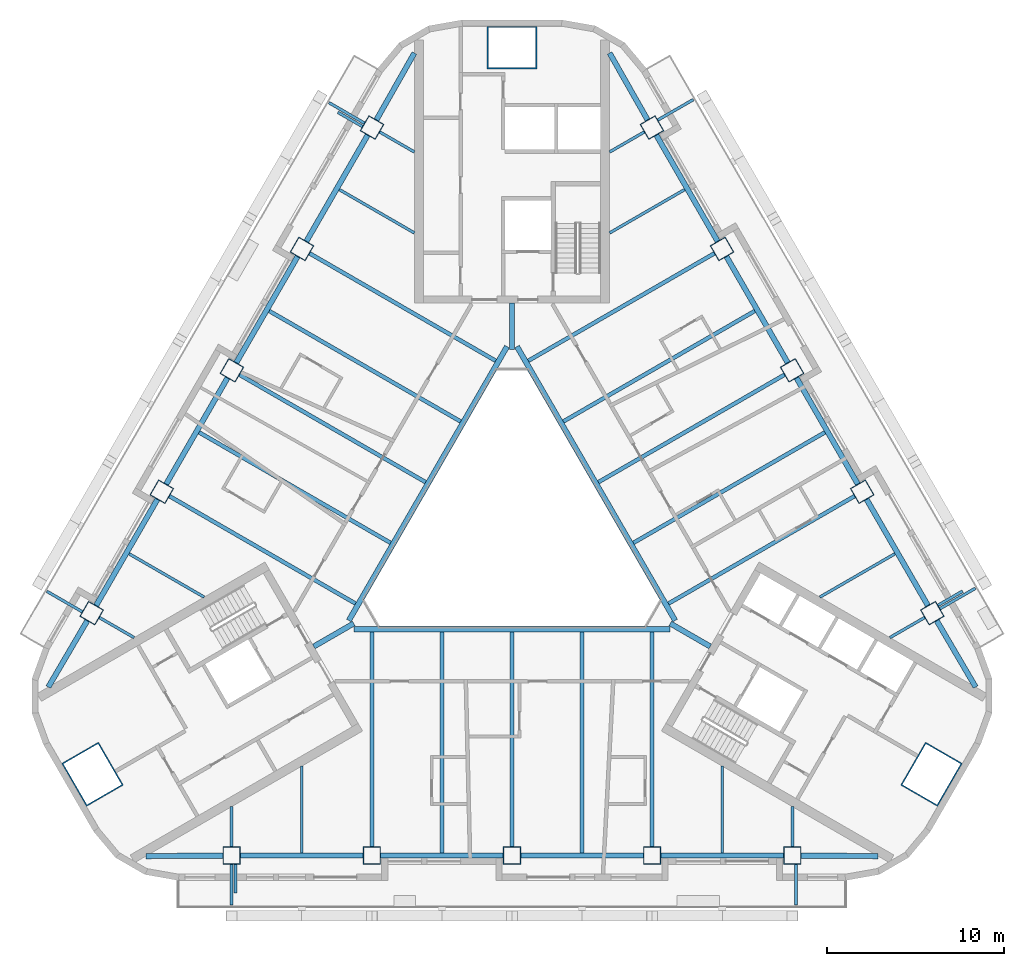
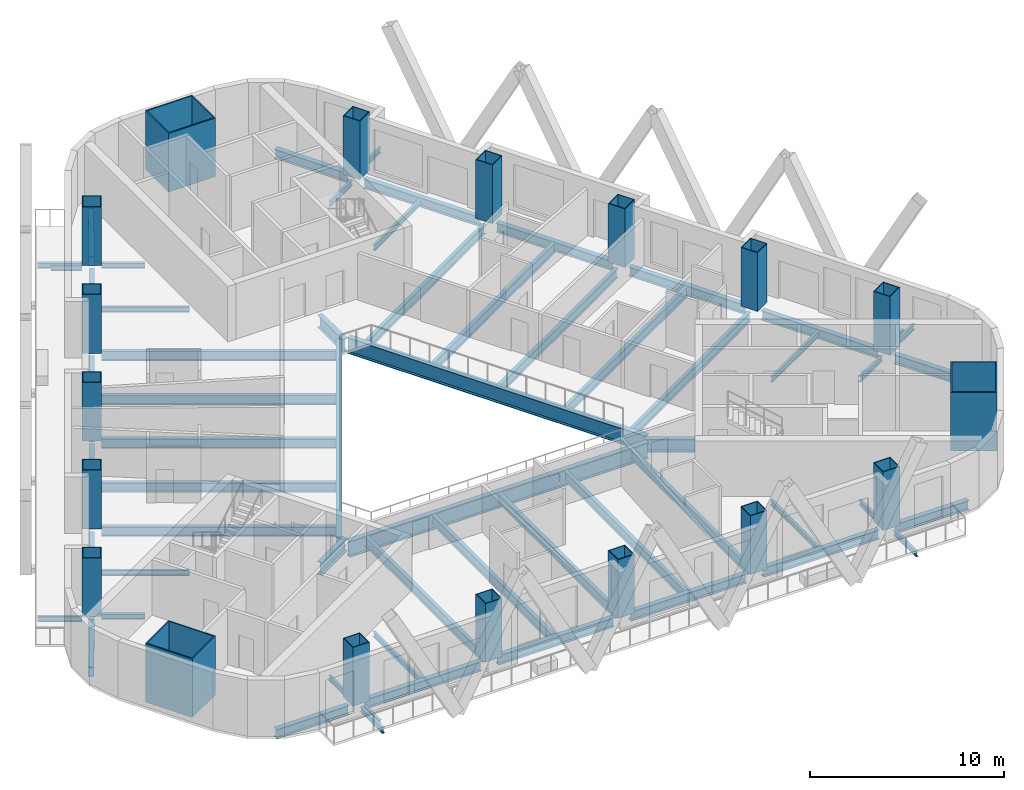
# One storey, part 1 of 13: 60 beams, 18 columns.
"""IFC4 building model written with IfcOpenShell, lengths in metres."""

import ifcopenshell
import ifcopenshell.guid

model = None  # the IFC model being written
_history = None  # IfcOwnerHistory: only IFC2X3 demands one
_inside = {}  # id of a spatial element -> (the spatial element, [elements in it])
_under = {}  # id of a project, library or spatial element -> (it, [spatial elements below it])
_declared = {}  # id of a project -> (the project, [libraries it declares])
_typed = {}  # id of a type object -> (the type object, [elements of that type])
_made_of = {}  # id of a material, layer set ... -> (it, [elements and type objects made of it])


def new_model(schema):
    """Start an empty IFC model of exactly this schema.

    Asked for "IFC4X3", IfcOpenShell would pick the latest addendum, in which some entities
    have other attributes; the version numbers below select the first issue.
    IFC2X3 requires an IfcOwnerHistory on every rooted entity: one is made here for all.
    """
    global model, _history
    if schema == "IFC4X3":
        model = ifcopenshell.file(schema_version=(4, 3, 0, 0))
    else:
        model = ifcopenshell.file(schema=schema)
    _inside.clear()
    _under.clear()
    _declared.clear()
    _typed.clear()
    _made_of.clear()
    _history = None
    if model.schema == "IFC2X3":
        org = make("IfcOrganization", Name="unknown")
        user = make(
            "IfcPersonAndOrganization",
            ThePerson=make("IfcPerson", FamilyName="unknown"),
            TheOrganization=org,
        )
        app = make(
            "IfcApplication",
            ApplicationDeveloper=org,
            Version="unknown",
            ApplicationFullName="unknown",
            ApplicationIdentifier="unknown",
        )
        _history = make(
            "IfcOwnerHistory",
            OwningUser=user,
            OwningApplication=app,
            ChangeAction="ADDED",
            CreationDate=0,
        )
    return model


def make(cls, **values):
    """One entity of the class cls with the attributes given. An attribute that is None is left unset."""
    return model.create_entity(
        cls, **{name: value for name, value in values.items() if value is not None}
    )


def rooted(cls, **values):
    """An entity with a GlobalId (a new one), such as an element, a storey or a relation."""
    return make(cls, GlobalId=ifcopenshell.guid.new(), OwnerHistory=_history, **values)


def si_unit(unit_type, name, prefix=None):
    """IfcSIUnit, for example si_unit("LENGTHUNIT", "METRE", prefix="MILLI")."""
    return make("IfcSIUnit", UnitType=unit_type, Prefix=prefix, Name=name)


def assignment(units):
    """IfcUnitAssignment: the units of a project."""
    return None if units is None else make("IfcUnitAssignment", Units=units)


def point(xyz):
    """IfcCartesianPoint."""
    return None if xyz is None else make("IfcCartesianPoint", Coordinates=xyz)


def direction(xyz):
    """IfcDirection."""
    return None if xyz is None else make("IfcDirection", DirectionRatios=xyz)


def frame(location, z_axis=None, x_axis=None):
    """IfcAxis2Placement3D, a coordinate frame: its origin and axes. An axis left out is left unset."""
    return make(
        "IfcAxis2Placement3D",
        Location=point(location),
        Axis=direction(z_axis),
        RefDirection=direction(x_axis),
    )


def frame_2d(location, x_axis=None):
    """IfcAxis2Placement2D, a coordinate frame in the plane: its origin and x axis."""
    return make(
        "IfcAxis2Placement2D", Location=point(location), RefDirection=direction(x_axis)
    )


def origin():
    """The frame at (0, 0, 0) with its axes left unset."""
    return frame((0.0, 0.0, 0.0))


def origin_2d():
    """The frame at (0, 0) in the plane with its x axis left unset."""
    return frame_2d((0.0, 0.0))


def place(relative_to, where):
    """IfcLocalPlacement: puts the frame where relative to a parent placement (None: the world)."""
    return make(
        "IfcLocalPlacement", PlacementRelTo=relative_to, RelativePlacement=where
    )


def context(
    kind, dimensions, precision=None, world=None, true_north=None, identifier=None
):
    """IfcGeometricRepresentationContext, for example the 3D "Model" context."""
    return make(
        "IfcGeometricRepresentationContext",
        ContextIdentifier=identifier,
        ContextType=kind,
        CoordinateSpaceDimension=dimensions,
        Precision=precision,
        WorldCoordinateSystem=world,
        TrueNorth=true_north,
    )


def subcontext(parent, identifier, kind, view, scale=None):
    """IfcGeometricRepresentationSubContext, for example "Body" below "Model"."""
    return make(
        "IfcGeometricRepresentationSubContext",
        ContextIdentifier=identifier,
        ContextType=kind,
        ParentContext=parent,
        TargetScale=scale,
        TargetView=view,
    )


def project(units=None, contexts=None):
    """IfcProject with its units and contexts."""
    return rooted(
        "IfcProject",
        Name="project",
        RepresentationContexts=contexts,
        UnitsInContext=assignment(units),
    )


def spatial(cls, under=None, at=None, **own):
    """A site, building, storey or space (cls), placed at a placement, below another one or the project."""
    s = rooted(cls, ObjectPlacement=at, **own)
    if under is not None:
        _under.setdefault(under.id(), (under, []))[1].append(s)
    return s


def profile(cls, at=None, kind="AREA", **sizes):
    """A parametric profile (cls). Its sizes go by their IFC names, for example OverallWidth=200.0."""
    return make(cls, ProfileType=kind, Position=at, **sizes)


def rectangle(**sizes):
    """IfcRectangleProfileDef."""
    return profile("IfcRectangleProfileDef", **sizes)


def hollow_rectangle(**sizes):
    """IfcRectangleHollowProfileDef."""
    return profile("IfcRectangleHollowProfileDef", **sizes)


def i_section(**sizes):
    """IfcIShapeProfileDef."""
    return profile("IfcIShapeProfileDef", **sizes)


def extrude(swept, where, along, depth):
    """IfcExtrudedAreaSolid: the profile swept, set in the frame where, extruded along a direction by depth."""
    return make(
        "IfcExtrudedAreaSolid",
        SweptArea=swept,
        Position=where,
        ExtrudedDirection=direction(along),
        Depth=depth,
    )


def shape(context_of_items, identifier, shape_type, items):
    """IfcShapeRepresentation: the items that make up one representation, for example the "Body"."""
    return make(
        "IfcShapeRepresentation",
        ContextOfItems=context_of_items,
        RepresentationIdentifier=identifier,
        RepresentationType=shape_type,
        Items=items,
    )


def material(Name=None, Category=None):
    """IfcMaterial."""
    return make("IfcMaterial", Name=Name, Category=Category)


def material_profile(
    of_material, cross_section, Name=None, Category=None, Priority=None
):
    """IfcMaterialProfile: a cross section and its material."""
    return make(
        "IfcMaterialProfile",
        Name=Name,
        Material=of_material,
        Profile=cross_section,
        Priority=Priority,
        Category=Category,
    )


def profile_set(profiles, Name=None, composite=None):
    """IfcMaterialProfileSet."""
    return make(
        "IfcMaterialProfileSet",
        Name=Name,
        MaterialProfiles=profiles,
        CompositeProfile=composite,
    )


def made_of(thing, what):
    """Note that an element or type object is made of a material, layer set ...; save() writes the relation."""
    if what is not None:
        _made_of.setdefault(what.id(), (what, []))[1].append(thing)
    return thing


def type_object(cls, material=None, **own):
    """A type object (cls), such as IfcWallType, which elements share."""
    return made_of(rooted(cls, **own), material)


def element(
    cls,
    number,
    at=None,
    inside=None,
    cuts=None,
    type_object=None,
    material=None,
    context=None,
    identifier="Body",
    shape_type=None,
    held_by="IfcProductDefinitionShape",
    body=None,
    shapes=None,
    **own,
):
    """One element of the class cls, such as IfcWall. Its Tag is "e" and its number.

    at: its placement. inside: the storey or other place that contains it. cuts: it is an
    opening in that element (IfcRelVoidsElement). A single representation is given by context,
    identifier, shape_type and body (its items); several are given by shapes. held_by: the class
    of the entity that holds the representations. save() writes the other relations.
    """
    e = rooted(cls, Tag="e%d" % number, ObjectPlacement=at, **own)
    if body is not None:
        shapes = [shape(context, identifier, shape_type, body)]
    if shapes is not None:
        e.Representation = make(held_by, Representations=shapes)
    if inside is not None:
        _inside.setdefault(inside.id(), (inside, []))[1].append(e)
    if cuts is not None:
        rooted(
            "IfcRelVoidsElement", RelatingBuildingElement=cuts, RelatedOpeningElement=e
        )
    if type_object is not None:
        _typed.setdefault(type_object.id(), (type_object, []))[1].append(e)
    return made_of(e, material)


def aggregate(whole, parts):
    """IfcRelAggregates: a whole, such as a stair, and the parts it consists of."""
    return rooted("IfcRelAggregates", RelatingObject=whole, RelatedObjects=parts)


def save(model, path):
    """Write the relations noted so far, then the file.

    IfcRelAggregates (storeys below a building ...), IfcRelContainedInSpatialStructure (elements
    in a storey), IfcRelDefinesByType, IfcRelAssociatesMaterial and IfcRelDeclares: one each for
    every whole, place, type object, material and project.
    """
    for whole, parts in _under.values():
        aggregate(whole, parts)
    for where, things in _inside.values():
        rooted(
            "IfcRelContainedInSpatialStructure",
            RelatedElements=things,
            RelatingStructure=where,
        )
    for kind, things in _typed.values():
        rooted("IfcRelDefinesByType", RelatedObjects=things, RelatingType=kind)
    for what, things in _made_of.values():
        rooted("IfcRelAssociatesMaterial", RelatedObjects=things, RelatingMaterial=what)
    for by, libraries in _declared.values():
        rooted("IfcRelDeclares", RelatingContext=by, RelatedDefinitions=libraries)
    model.write(path)


model = new_model("IFC4")

# Units and contexts
model_context = context("Model", 3, precision=1e-05, world=origin(), true_north=direction((0.0, 1.0)))
body_context = subcontext(model_context, "Body", "Model", "MODEL_VIEW")
ifc_project = project(units=[si_unit("LENGTHUNIT", "METRE"), si_unit("AREAUNIT", "SQUARE_METRE"), si_unit("VOLUMEUNIT", "CUBIC_METRE"), si_unit("PLANEANGLEUNIT", "RADIAN"), si_unit("MASSUNIT", "GRAM", prefix="KILO")], contexts=[model_context])

# Site, building, storey
site_placement = place(None, origin())
site = spatial("IfcSite", under=ifc_project, at=site_placement, CompositionType="ELEMENT")
building_placement = place(site_placement, origin())
building = spatial("IfcBuilding", under=site, at=building_placement, Name="Apuvela Tower Hotel", CompositionType="ELEMENT")
storey_placement = place(building_placement, frame((0.0, 0.0, 83.5)))
storey = spatial("IfcBuildingStorey", under=building, at=storey_placement, Name="L18", CompositionType="ELEMENT", Elevation=83.5)

# Columns
ifc_material_1 = material(Name="Steel S460", Category="steel")
ifc_material_profile_1 = material_profile(ifc_material_1, hollow_rectangle(XDim=2.800048828125, YDim=2.39990234375, WallThickness=0.070068359375, at=origin_2d()), Name="BOX 2800x2400x70")
ifc_material_2 = material(Name="Concrete C80/95", Category="concrete")
ifc_material_profile_2 = material_profile(ifc_material_2, rectangle(XDim=2.659912109375, YDim=2.260009765625, at=origin_2d()), Name="Concrete C80/95 infill")
ifc_profile_set_1 = profile_set([ifc_material_profile_1, ifc_material_profile_2], Name="Steel S460")
column_type_1 = type_object("IfcColumnType", Name="STR-MC mega column BOX 2800x2400x70", PredefinedType="COLUMN", material=ifc_profile_set_1)
for number, where, z_axis, x_axis, name in (
    (1, (0.0, 27.300048828125, 0.0), (0.0, 0.0, 1.0), (1.0, 0.0, 0.0), "Mega column MC2 N"),
    (2, (-23.642578125, -13.64990234375, 0.0), (0.0, 0.0, 1.0), (-0.5, 0.866025403784, 0.0), "Mega column MC2 SW"),
    (3, (23.642578125, -13.64990234375, 0.0), (0.0, 0.0, 1.0), (0.5, 0.866025403784, 0.0), "Mega column MC2 SE"),
):
    element("IfcColumn", number, at=place(storey_placement, frame(where, z_axis=z_axis, x_axis=x_axis)), inside=storey, type_object=column_type_1, Name=name, PredefinedType="COLUMN", context=body_context, shape_type="SweptSolid", body=[
        extrude(hollow_rectangle(XDim=2.800048828125, YDim=2.39990234375, WallThickness=0.070068359375, at=origin_2d()), origin(), (0.0, 0.0, 1.0), 3.699951171875),
    ])
ifc_material_profile_3 = material_profile(ifc_material_1, hollow_rectangle(XDim=1.0, YDim=1.0, WallThickness=0.044921875, at=origin_2d()), Name="BOX 1000x1000x45")
ifc_material_profile_4 = material_profile(ifc_material_2, rectangle(XDim=0.909912109375, YDim=0.909912109375, at=origin_2d()), Name="Concrete C80/95 infill")
ifc_profile_set_2 = profile_set([ifc_material_profile_3, ifc_material_profile_4], Name="Steel S460")
column_type_2 = type_object("IfcColumnType", Name="STR-PC perimeter column BOX 1000x1000x45", PredefinedType="COLUMN", material=ifc_profile_set_2)
for number, where, z_axis, x_axis, name in (
    (4, (-15.800048828125, -18.22998046875, 0.0), (0.0, 0.0, 1.0), (-1.0, 0.0, 0.0), "Perimeter column C2 S1"),
    (5, (-7.89990234375, -18.22998046875, 0.0), (0.0, 0.0, 1.0), (-1.0, 0.0, 0.0), "Perimeter column C2 S2"),
    (6, (0.0, -18.22998046875, 0.0), (0.0, 0.0, 1.0), (-1.0, 0.0, 0.0), "Perimeter column C2 S3"),
    (7, (7.89990234375, -18.22998046875, 0.0), (0.0, 0.0, 1.0), (-1.0, 0.0, 0.0), "Perimeter column C2 S4"),
    (8, (15.800048828125, -18.22998046875, 0.0), (0.0, 0.0, 1.0), (-1.0, 0.0, 0.0), "Perimeter column C2 S5"),
    (9, (23.6875, -4.568115234375, 0.0), (0.0, 0.0, 1.0), (-0.5, 0.866025403784, 0.0), "Perimeter column C2 NE1"),
    (10, (19.737548828125, 2.2734375, 0.0), (0.0, 0.0, 1.0), (-0.5, 0.866025403784, 0.0), "Perimeter column C2 NE2"),
    (11, (15.78759765625, 9.114990234375, 0.0), (0.0, 0.0, 1.0), (-0.5, 0.866025403784, 0.0), "Perimeter column C2 NE3"),
    (12, (11.837646484375, 15.95654296875, 0.0), (0.0, 0.0, 1.0), (-0.5, 0.866025403784, 0.0), "Perimeter column C2 NE4"),
    (13, (7.8876953125, 22.798095703125, 0.0), (0.0, 0.0, 1.0), (-0.5, 0.866025403784, 0.0), "Perimeter column C2 NE5"),
    (14, (-7.8876953125, 22.798095703125, 0.0), (0.0, 0.0, 1.0), (0.5, 0.866025403784, 0.0), "Perimeter column C2 NW1"),
    (15, (-11.837646484375, 15.95654296875, 0.0), (0.0, 0.0, 1.0), (0.5, 0.866025403784, 0.0), "Perimeter column C2 NW2"),
    (16, (-15.78759765625, 9.114990234375, 0.0), (0.0, 0.0, 1.0), (0.5, 0.866025403784, 0.0), "Perimeter column C2 NW3"),
    (17, (-19.737548828125, 2.2734375, 0.0), (0.0, 0.0, 1.0), (0.5, 0.866025403784, 0.0), "Perimeter column C2 NW4"),
    (18, (-23.6875, -4.568115234375, 0.0), (0.0, 0.0, 1.0), (0.5, 0.866025403784, 0.0), "Perimeter column C2 NW5"),
):
    element("IfcColumn", number, at=place(storey_placement, frame(where, z_axis=z_axis, x_axis=x_axis)), inside=storey, type_object=column_type_2, Name=name, PredefinedType="COLUMN", context=body_context, shape_type="SweptSolid", body=[
        extrude(hollow_rectangle(XDim=1.0, YDim=1.0, WallThickness=0.044921875, at=origin_2d()), origin(), (0.0, 0.0, 1.0), 3.699951171875),
    ])

# Beams
ifc_material_3 = material(Name="Steel S355", Category="steel")
ifc_material_profile_5 = material_profile(ifc_material_3, i_section(OverallWidth=0.159912109375, OverallDepth=0.330078125, WebThickness=0.007568359375, FlangeThickness=0.011474609375, at=origin_2d()), Name="IPE 330")
ifc_profile_set_3 = profile_set([ifc_material_profile_5], Name="Steel S355")
beam_type_1 = type_object("IfcBeamType", Name="ENV-BALCONY-BEAM-IPE330", PredefinedType="BEAM", material=ifc_profile_set_3)
beam_1_placement = place(storey_placement, frame((-15.800048828125, -18.72998046875, -0.31494140625), z_axis=(0.0, -1.0, 0.0), x_axis=(1.0, 0.0, 0.0)))
element("IfcBeam", 19, at=beam_1_placement, inside=storey, type_object=beam_type_1, Name="Balcony cantilever beam S1 L18", PredefinedType="BEAM", context=body_context, shape_type="SweptSolid", body=[
    extrude(i_section(OverallWidth=0.159912109375, OverallDepth=0.330078125, WebThickness=0.007568359375, FlangeThickness=0.011474609375, at=origin_2d()), origin(), (0.0, 0.0, 1.0), 2.300048828125),
])
beam_2_placement = place(storey_placement, frame((-15.580078125, -18.72998046875, -0.31494140625), z_axis=(0.0, -1.0, 0.0), x_axis=(1.0, 0.0, 0.0)))
element("IfcBeam", 20, at=beam_2_placement, inside=storey, type_object=beam_type_1, Name="Balcony cantilever beam S2 L18", PredefinedType="BEAM", context=body_context, shape_type="SweptSolid", body=[
    extrude(i_section(OverallWidth=0.159912109375, OverallDepth=0.330078125, WebThickness=0.007568359375, FlangeThickness=0.011474609375, at=origin_2d()), origin(), (0.0, 0.0, 1.0), 1.60009765625),
])
for number, where, z_axis, x_axis, name in (
    (21, (16.0, -18.72998046875, -0.31494140625), (0.0, -1.0, 0.0), (1.0, 0.0, 0.0), "Balcony cantilever beam S3 L18"),
    (22, (24.12060546875, -4.318115234375, -0.31494140625), (0.866053019151, 0.499952165731, 0.0), (-0.499952165731, 0.866053019151, 0.0), "Balcony cantilever beam NE1 L18"),
):
    element("IfcBeam", number, at=place(storey_placement, frame(where, z_axis=z_axis, x_axis=x_axis)), inside=storey, type_object=beam_type_1, Name=name, PredefinedType="BEAM", context=body_context, shape_type="SweptSolid", body=[
        extrude(i_section(OverallWidth=0.159912109375, OverallDepth=0.330078125, WebThickness=0.007568359375, FlangeThickness=0.011474609375, at=origin_2d()), origin(), (0.0, 0.0, 1.0), 2.300048828125),
    ])
beam_3_placement = place(storey_placement, frame((24.0107421875, -4.127685546875, -0.31494140625), z_axis=(0.865989903783, 0.500061482766, 0.0), x_axis=(-0.500061482766, 0.865989903783, 0.0)))
element("IfcBeam", 23, at=beam_3_placement, inside=storey, type_object=beam_type_1, Name="Balcony cantilever beam NE2 L18", PredefinedType="BEAM", context=body_context, shape_type="SweptSolid", body=[
    extrude(i_section(OverallWidth=0.159912109375, OverallDepth=0.330078125, WebThickness=0.007568359375, FlangeThickness=0.011474609375, at=origin_2d()), origin(), (0.0, 0.0, 1.0), 1.599853515625),
])
beam_4_placement = place(storey_placement, frame((8.220703125, 23.221435546875, -0.31494140625), z_axis=(0.86602648383, 0.499998129301, 0.0), x_axis=(-0.499998129301, 0.86602648383, 0.0)))
element("IfcBeam", 24, at=beam_4_placement, inside=storey, type_object=beam_type_1, Name="Balcony cantilever beam NE3 L18", PredefinedType="BEAM", context=body_context, shape_type="SweptSolid", body=[
    extrude(i_section(OverallWidth=0.159912109375, OverallDepth=0.330078125, WebThickness=0.007568359375, FlangeThickness=0.011474609375, at=origin_2d()), origin(), (0.0, 0.0, 1.0), 2.2998046875),
])
beam_5_placement = place(storey_placement, frame((-8.32080078125, 23.048095703125, -0.31494140625), z_axis=(-0.865980515519, 0.500077740698, 0.0), x_axis=(-0.500077740698, -0.865980515519, 0.0)))
element("IfcBeam", 25, at=beam_5_placement, inside=storey, type_object=beam_type_1, Name="Balcony cantilever beam NW1 L18", PredefinedType="BEAM", context=body_context, shape_type="SweptSolid", body=[
    extrude(i_section(OverallWidth=0.159912109375, OverallDepth=0.330078125, WebThickness=0.007568359375, FlangeThickness=0.011474609375, at=origin_2d()), origin(), (0.0, 0.0, 1.0), 2.300048828125),
])
beam_6_placement = place(storey_placement, frame((-8.4306640625, 22.857666015625, -0.31494140625), z_axis=(-0.866028054938, 0.499995408039, 0.0), x_axis=(-0.499995408039, -0.866028054938, 0.0)))
element("IfcBeam", 26, at=beam_6_placement, inside=storey, type_object=beam_type_1, Name="Balcony cantilever beam NW2 L18", PredefinedType="BEAM", context=body_context, shape_type="SweptSolid", body=[
    extrude(i_section(OverallWidth=0.159912109375, OverallDepth=0.330078125, WebThickness=0.007568359375, FlangeThickness=0.011474609375, at=origin_2d()), origin(), (0.0, 0.0, 1.0), 1.60009765625),
])
beam_7_placement = place(storey_placement, frame((-24.220703125, -4.491455078125, -0.31494140625), z_axis=(-0.865980515519, 0.500077740698, 0.0), x_axis=(-0.500077740698, -0.865980515519, 0.0)))
element("IfcBeam", 27, at=beam_7_placement, inside=storey, type_object=beam_type_1, Name="Balcony cantilever beam NW3 L18", PredefinedType="BEAM", context=body_context, shape_type="SweptSolid", body=[
    extrude(i_section(OverallWidth=0.159912109375, OverallDepth=0.330078125, WebThickness=0.007568359375, FlangeThickness=0.011474609375, at=origin_2d()), origin(), (0.0, 0.0, 1.0), 2.300048828125),
])
ifc_material_profile_6 = material_profile(ifc_material_3, i_section(OverallWidth=0.159912109375, OverallDepth=0.330078125, WebThickness=0.007568359375, FlangeThickness=0.011474609375, at=origin_2d()), Name="IPE 330")
ifc_profile_set_4 = profile_set([ifc_material_profile_6], Name="Steel S355")
beam_type_2 = type_object("IfcBeamType", Name="STR-B floor beam IPE 330", PredefinedType="BEAM", material=ifc_profile_set_4)
beam_8_placement = place(storey_placement, frame((23.254638671875, -4.818115234375, -0.31494140625), z_axis=(-0.865991034588, -0.500059524469, 0.0), x_axis=(0.500059524469, -0.865991034588, 0.0)))
element("IfcBeam", 28, at=beam_8_placement, inside=storey, type_object=beam_type_2, Name="Floor beam B1 NE1", PredefinedType="BEAM", context=body_context, shape_type="SweptSolid", body=[
    extrude(i_section(OverallWidth=0.159912109375, OverallDepth=0.330078125, WebThickness=0.007568359375, FlangeThickness=0.011474609375, at=origin_2d()), origin(), (0.0, 0.0, 1.0), 2.257080078125),
])
for number, where, z_axis, x_axis, name in (
    (29, (21.582763671875, -1.222412109375, -0.31494140625), (-0.866015056278, -0.500017921979, 0.0), (0.500017921979, -0.866015056278, 0.0), "Floor beam B1 NE2"),
    (30, (9.732666015625, 19.302490234375, -0.31494140625), (-0.866015056278, -0.500017921979, 0.0), (0.500017921979, -0.866015056278, 0.0), "Floor beam B1 NE8"),
):
    element("IfcBeam", number, at=place(storey_placement, frame(where, z_axis=z_axis, x_axis=x_axis)), inside=storey, type_object=beam_type_2, Name=name, PredefinedType="BEAM", context=body_context, shape_type="SweptSolid", body=[
        extrude(i_section(OverallWidth=0.159912109375, OverallDepth=0.330078125, WebThickness=0.007568359375, FlangeThickness=0.011474609375, at=origin_2d()), origin(), (0.0, 0.0, 1.0), 4.887451171875),
    ])
for number, where, z_axis, x_axis, name in (
    (31, (7.45458984375, 22.548095703125, -0.31494140625), (-0.86603787505, -0.499978398512, 0.0), (0.499978398512, -0.86603787505, 0.0), "Floor beam B1 NE9"),
    (32, (-7.45458984375, 22.548095703125, -0.31494140625), (0.86603787505, -0.499978398512, 0.0), (0.499978398512, 0.86603787505, 0.0), "Floor beam B1 NW1"),
):
    element("IfcBeam", number, at=place(storey_placement, frame(where, z_axis=z_axis, x_axis=x_axis)), inside=storey, type_object=beam_type_2, Name=name, PredefinedType="BEAM", context=body_context, shape_type="SweptSolid", body=[
        extrude(i_section(OverallWidth=0.159912109375, OverallDepth=0.330078125, WebThickness=0.007568359375, FlangeThickness=0.011474609375, at=origin_2d()), origin(), (0.0, 0.0, 1.0), 2.2568359375),
    ])
for number, where, z_axis, x_axis, name in (
    (33, (-9.732666015625, 19.302490234375, -0.31494140625), (0.866015056278, -0.500017921979, 0.0), (0.500017921979, 0.866015056278, 0.0), "Floor beam B1 NW2"),
    (34, (-21.582763671875, -1.222412109375, -0.31494140625), (0.866015056278, -0.500017921979, 0.0), (0.500017921979, 0.866015056278, 0.0), "Floor beam B1 NW8"),
):
    element("IfcBeam", number, at=place(storey_placement, frame(where, z_axis=z_axis, x_axis=x_axis)), inside=storey, type_object=beam_type_2, Name=name, PredefinedType="BEAM", context=body_context, shape_type="SweptSolid", body=[
        extrude(i_section(OverallWidth=0.159912109375, OverallDepth=0.330078125, WebThickness=0.007568359375, FlangeThickness=0.011474609375, at=origin_2d()), origin(), (0.0, 0.0, 1.0), 4.887451171875),
    ])
for number, where, z_axis, x_axis, name in (
    (35, (-23.254638671875, -4.818115234375, -0.31494140625), (0.865991034588, -0.500059524469, 0.0), (0.500059524469, 0.865991034588, 0.0), "Floor beam B1 NW9"),
    (36, (-15.800048828125, -17.72998046875, -0.31494140625), (0.0, 1.0, 0.0), (-1.0, 0.0, 0.0), "Floor beam B1 S1"),
):
    element("IfcBeam", number, at=place(storey_placement, frame(where, z_axis=z_axis, x_axis=x_axis)), inside=storey, type_object=beam_type_2, Name=name, PredefinedType="BEAM", context=body_context, shape_type="SweptSolid", body=[
        extrude(i_section(OverallWidth=0.159912109375, OverallDepth=0.330078125, WebThickness=0.007568359375, FlangeThickness=0.011474609375, at=origin_2d()), origin(), (0.0, 0.0, 1.0), 2.257080078125),
    ])
for number, where, z_axis, x_axis, name in (
    (37, (-11.85009765625, -18.080078125, -0.31494140625), (0.0, 1.0, 0.0), (-1.0, 0.0, 0.0), "Floor beam B1 S2"),
    (38, (11.85009765625, -18.080078125, -0.31494140625), (0.0, 1.0, 0.0), (-1.0, 0.0, 0.0), "Floor beam B1 S8"),
):
    element("IfcBeam", number, at=place(storey_placement, frame(where, z_axis=z_axis, x_axis=x_axis)), inside=storey, type_object=beam_type_2, Name=name, PredefinedType="BEAM", context=body_context, shape_type="SweptSolid", body=[
        extrude(i_section(OverallWidth=0.159912109375, OverallDepth=0.330078125, WebThickness=0.007568359375, FlangeThickness=0.011474609375, at=origin_2d()), origin(), (0.0, 0.0, 1.0), 4.8876953125),
    ])
beam_9_placement = place(storey_placement, frame((15.800048828125, -17.72998046875, -0.31494140625), z_axis=(0.0, 1.0, 0.0), x_axis=(-1.0, 0.0, 0.0)))
element("IfcBeam", 39, at=beam_9_placement, inside=storey, type_object=beam_type_2, Name="Floor beam B1 S9", PredefinedType="BEAM", context=body_context, shape_type="SweptSolid", body=[
    extrude(i_section(OverallWidth=0.159912109375, OverallDepth=0.330078125, WebThickness=0.007568359375, FlangeThickness=0.011474609375, at=origin_2d()), origin(), (0.0, 0.0, 1.0), 2.257080078125),
])
ifc_material_profile_7 = material_profile(ifc_material_3, i_section(OverallWidth=0.219970703125, OverallDepth=0.60009765625, WebThickness=0.011962890625, FlangeThickness=0.01904296875, at=origin_2d()), Name="IPE 600")
ifc_profile_set_5 = profile_set([ifc_material_profile_7], Name="Steel S355")
beam_type_3 = type_object("IfcBeamType", Name="STR-B floor beam IPE 600", PredefinedType="BEAM", material=ifc_profile_set_5)
beam_10_placement = place(storey_placement, frame((19.3046875, 2.0234375, -0.449951171875), z_axis=(-0.866027098151, -0.499997065259, 0.0), x_axis=(0.499997065259, -0.866027098151, 0.0)))
element("IfcBeam", 40, at=beam_10_placement, inside=storey, type_object=beam_type_3, Name="Floor beam B8 NE3", PredefinedType="BEAM", context=body_context, shape_type="SweptSolid", body=[
    extrude(i_section(OverallWidth=0.219970703125, OverallDepth=0.60009765625, WebThickness=0.011962890625, FlangeThickness=0.01904296875, at=origin_2d()), origin(), (0.0, 0.0, 1.0), 12.10791015625),
])
beam_11_placement = place(storey_placement, frame((17.6328125, 5.619140625, -0.449951171875), z_axis=(-0.866027636335, -0.499996133089, 0.0), x_axis=(0.499996133089, -0.866027636335, 0.0)))
element("IfcBeam", 41, at=beam_11_placement, inside=storey, type_object=beam_type_3, Name="Floor beam B8 NE4", PredefinedType="BEAM", context=body_context, shape_type="SweptSolid", body=[
    extrude(i_section(OverallWidth=0.219970703125, OverallDepth=0.60009765625, WebThickness=0.011962890625, FlangeThickness=0.01904296875, at=origin_2d()), origin(), (0.0, 0.0, 1.0), 12.4580078125),
])
beam_12_placement = place(storey_placement, frame((15.3544921875, 8.864990234375, -0.449951171875), z_axis=(-0.866022057176, -0.500005796451, 0.0), x_axis=(0.500005796451, -0.866022057176, 0.0)))
element("IfcBeam", 42, at=beam_12_placement, inside=storey, type_object=beam_type_3, Name="Floor beam B8 NE5", PredefinedType="BEAM", context=body_context, shape_type="SweptSolid", body=[
    extrude(i_section(OverallWidth=0.219970703125, OverallDepth=0.60009765625, WebThickness=0.011962890625, FlangeThickness=0.01904296875, at=origin_2d()), origin(), (0.0, 0.0, 1.0), 12.107666015625),
])
beam_13_placement = place(storey_placement, frame((13.6826171875, 12.460693359375, -0.449951171875), z_axis=(-0.866022737053, -0.500004618886, 0.0), x_axis=(0.500004618886, -0.866022737053, 0.0)))
element("IfcBeam", 43, at=beam_13_placement, inside=storey, type_object=beam_type_3, Name="Floor beam B8 NE6", PredefinedType="BEAM", context=body_context, shape_type="SweptSolid", body=[
    extrude(i_section(OverallWidth=0.219970703125, OverallDepth=0.60009765625, WebThickness=0.011962890625, FlangeThickness=0.01904296875, at=origin_2d()), origin(), (0.0, 0.0, 1.0), 12.4580078125),
])
for number, where, z_axis, x_axis, name in (
    (44, (11.404541015625, 15.70654296875, -0.449951171875), (-0.866027098151, -0.499997065259, 0.0), (0.499997065259, -0.866027098151, 0.0), "Floor beam B8 NE7"),
    (45, (-11.404541015625, 15.70654296875, -0.449951171875), (0.866027098151, -0.499997065259, 0.0), (0.499997065259, 0.866027098151, 0.0), "Floor beam B8 NW3"),
):
    element("IfcBeam", number, at=place(storey_placement, frame(where, z_axis=z_axis, x_axis=x_axis)), inside=storey, type_object=beam_type_3, Name=name, PredefinedType="BEAM", context=body_context, shape_type="SweptSolid", body=[
        extrude(i_section(OverallWidth=0.219970703125, OverallDepth=0.60009765625, WebThickness=0.011962890625, FlangeThickness=0.01904296875, at=origin_2d()), origin(), (0.0, 0.0, 1.0), 12.10791015625),
    ])
beam_14_placement = place(storey_placement, frame((-13.6826171875, 12.460693359375, -0.449951171875), z_axis=(0.866022737053, -0.500004618886, 0.0), x_axis=(0.500004618886, 0.866022737053, 0.0)))
element("IfcBeam", 46, at=beam_14_placement, inside=storey, type_object=beam_type_3, Name="Floor beam B8 NW4", PredefinedType="BEAM", context=body_context, shape_type="SweptSolid", body=[
    extrude(i_section(OverallWidth=0.219970703125, OverallDepth=0.60009765625, WebThickness=0.011962890625, FlangeThickness=0.01904296875, at=origin_2d()), origin(), (0.0, 0.0, 1.0), 12.4580078125),
])
beam_15_placement = place(storey_placement, frame((-15.3544921875, 8.864990234375, -0.449951171875), z_axis=(0.866022057176, -0.500005796451, 0.0), x_axis=(0.500005796451, 0.866022057176, 0.0)))
element("IfcBeam", 47, at=beam_15_placement, inside=storey, type_object=beam_type_3, Name="Floor beam B8 NW5", PredefinedType="BEAM", context=body_context, shape_type="SweptSolid", body=[
    extrude(i_section(OverallWidth=0.219970703125, OverallDepth=0.60009765625, WebThickness=0.011962890625, FlangeThickness=0.01904296875, at=origin_2d()), origin(), (0.0, 0.0, 1.0), 12.107666015625),
])
beam_16_placement = place(storey_placement, frame((-17.6328125, 5.619140625, -0.449951171875), z_axis=(0.866027636335, -0.499996133089, 0.0), x_axis=(0.499996133089, 0.866027636335, 0.0)))
element("IfcBeam", 48, at=beam_16_placement, inside=storey, type_object=beam_type_3, Name="Floor beam B8 NW6", PredefinedType="BEAM", context=body_context, shape_type="SweptSolid", body=[
    extrude(i_section(OverallWidth=0.219970703125, OverallDepth=0.60009765625, WebThickness=0.011962890625, FlangeThickness=0.01904296875, at=origin_2d()), origin(), (0.0, 0.0, 1.0), 12.4580078125),
])
for number, where, z_axis, x_axis, name in (
    (49, (-19.3046875, 2.0234375, -0.449951171875), (0.866027098151, -0.499997065259, 0.0), (0.499997065259, 0.866027098151, 0.0), "Floor beam B8 NW7"),
    (50, (-7.89990234375, -17.72998046875, -0.449951171875), (0.0, 1.0, 0.0), (-1.0, 0.0, 0.0), "Floor beam B8 S3"),
):
    element("IfcBeam", number, at=place(storey_placement, frame(where, z_axis=z_axis, x_axis=x_axis)), inside=storey, type_object=beam_type_3, Name=name, PredefinedType="BEAM", context=body_context, shape_type="SweptSolid", body=[
        extrude(i_section(OverallWidth=0.219970703125, OverallDepth=0.60009765625, WebThickness=0.011962890625, FlangeThickness=0.01904296875, at=origin_2d()), origin(), (0.0, 0.0, 1.0), 12.10791015625),
    ])
beam_17_placement = place(storey_placement, frame((-3.949951171875, -18.080078125, -0.449951171875), z_axis=(0.0, 1.0, 0.0), x_axis=(-1.0, 0.0, 0.0)))
element("IfcBeam", 51, at=beam_17_placement, inside=storey, type_object=beam_type_3, Name="Floor beam B8 S4", PredefinedType="BEAM", context=body_context, shape_type="SweptSolid", body=[
    extrude(i_section(OverallWidth=0.219970703125, OverallDepth=0.60009765625, WebThickness=0.011962890625, FlangeThickness=0.01904296875, at=origin_2d()), origin(), (0.0, 0.0, 1.0), 12.4580078125),
])
beam_18_placement = place(storey_placement, frame((0.0, -17.72998046875, -0.449951171875), z_axis=(0.0, 1.0, 0.0), x_axis=(-1.0, 0.0, 0.0)))
element("IfcBeam", 52, at=beam_18_placement, inside=storey, type_object=beam_type_3, Name="Floor beam B8 S5", PredefinedType="BEAM", context=body_context, shape_type="SweptSolid", body=[
    extrude(i_section(OverallWidth=0.219970703125, OverallDepth=0.60009765625, WebThickness=0.011962890625, FlangeThickness=0.01904296875, at=origin_2d()), origin(), (0.0, 0.0, 1.0), 12.10791015625),
])
beam_19_placement = place(storey_placement, frame((3.949951171875, -18.080078125, -0.449951171875), z_axis=(0.0, 1.0, 0.0), x_axis=(-1.0, 0.0, 0.0)))
element("IfcBeam", 53, at=beam_19_placement, inside=storey, type_object=beam_type_3, Name="Floor beam B8 S6", PredefinedType="BEAM", context=body_context, shape_type="SweptSolid", body=[
    extrude(i_section(OverallWidth=0.219970703125, OverallDepth=0.60009765625, WebThickness=0.011962890625, FlangeThickness=0.01904296875, at=origin_2d()), origin(), (0.0, 0.0, 1.0), 12.4580078125),
])
beam_20_placement = place(storey_placement, frame((7.89990234375, -17.72998046875, -0.449951171875), z_axis=(0.0, 1.0, 0.0), x_axis=(-1.0, 0.0, 0.0)))
element("IfcBeam", 54, at=beam_20_placement, inside=storey, type_object=beam_type_3, Name="Floor beam B8 S7", PredefinedType="BEAM", context=body_context, shape_type="SweptSolid", body=[
    extrude(i_section(OverallWidth=0.219970703125, OverallDepth=0.60009765625, WebThickness=0.011962890625, FlangeThickness=0.01904296875, at=origin_2d()), origin(), (0.0, 0.0, 1.0), 12.10791015625),
])
ifc_material_profile_8 = material_profile(ifc_material_3, i_section(OverallWidth=0.302001953125, OverallDepth=1.008056640625, WebThickness=0.02099609375, FlangeThickness=0.0400390625, at=origin_2d()), Name="HE 1000 M")
ifc_profile_set_6 = profile_set([ifc_material_profile_8], Name="Steel S355")
beam_type_4 = type_object("IfcBeamType", Name="STR-G atrium ring girder HE 1000 M", PredefinedType="BEAM", material=ifc_profile_set_6)
for number, where, z_axis, x_axis, name in (
    (55, (-0.28076171875, 10.455810546875, -0.654052734375), (-0.500000611842, -0.866025050537, 0.0), (0.866025050537, -0.500000611842, 0.0), "Atrium ring girder G1 N-SW"),
    (56, (-8.91455078125, -5.470947265625, -0.654052734375), (1.0, 0.0, 0.0), (0.0, 1.0, 0.0), "Atrium ring girder G1 SW-SE"),
    (57, (9.1953125, -4.984619140625, -0.654052734375), (-0.500000611842, 0.866025050537, 0.0), (-0.866025050537, -0.500000611842, 0.0), "Atrium ring girder G1 SE-N"),
):
    element("IfcBeam", number, at=place(storey_placement, frame(where, z_axis=z_axis, x_axis=x_axis)), inside=storey, type_object=beam_type_4, Name=name, PredefinedType="BEAM", context=body_context, shape_type="SweptSolid", body=[
        extrude(i_section(OverallWidth=0.302001953125, OverallDepth=1.008056640625, WebThickness=0.02099609375, FlangeThickness=0.0400390625, at=origin_2d()), origin(), (0.0, 0.0, 1.0), 17.8291015625),
    ])
ifc_material_profile_9 = material_profile(ifc_material_3, i_section(OverallWidth=0.300048828125, OverallDepth=0.800048828125, WebThickness=0.017578125, FlangeThickness=0.032958984375, at=origin_2d()), Name="HE 800 B")
ifc_profile_set_7 = profile_set([ifc_material_profile_9], Name="Steel S355")
beam_type_5 = type_object("IfcBeamType", Name="STR-GT core tie beam HE 800 B", PredefinedType="BEAM", material=ifc_profile_set_7)
for number, where, z_axis, x_axis, name in (
    (58, (0.0, 12.89990234375, -0.550048828125), (0.0, -1.0, 0.0), (1.0, 0.0, 0.0), "Core tie beam GT1 N"),
    (59, (-11.171630859375, -6.449951171875, -0.550048828125), (0.865997922154, 0.500047596559, 0.0), (-0.500047596559, 0.865997922154, 0.0), "Core tie beam GT1 SW"),
    (60, (11.171630859375, -6.449951171875, -0.550048828125), (-0.865997922154, 0.500047596559, 0.0), (-0.500047596559, -0.865997922154, 0.0), "Core tie beam GT1 SE"),
):
    element("IfcBeam", number, at=place(storey_placement, frame(where, z_axis=z_axis, x_axis=x_axis)), inside=storey, type_object=beam_type_5, Name=name, PredefinedType="BEAM", context=body_context, shape_type="SweptSolid", body=[
        extrude(i_section(OverallWidth=0.300048828125, OverallDepth=0.800048828125, WebThickness=0.017578125, FlangeThickness=0.032958984375, at=origin_2d()), origin(), (0.0, 0.0, 1.0), 2.599853515625),
    ])
ifc_material_profile_10 = material_profile(ifc_material_3, i_section(OverallWidth=0.300048828125, OverallDepth=0.590087890625, WebThickness=0.012939453125, FlangeThickness=0.02490234375, at=origin_2d()), Name="HE 600 A")
ifc_profile_set_8 = profile_set([ifc_material_profile_10], Name="Steel S355")
beam_type_6 = type_object("IfcBeamType", Name="STR-SB spandrel beam HE 600 A", PredefinedType="SPANDREL", material=ifc_profile_set_8)
beam_21_placement = place(storey_placement, frame((-15.300048828125, -18.22998046875, -0.445068359375), z_axis=(1.0, 0.0, 0.0), x_axis=(0.0, 1.0, 0.0)))
element("IfcBeam", 61, at=beam_21_placement, inside=storey, type_object=beam_type_6, Name="Spandrel beam SB2 S1", PredefinedType="SPANDREL", context=body_context, shape_type="SweptSolid", body=[
    extrude(i_section(OverallWidth=0.300048828125, OverallDepth=0.590087890625, WebThickness=0.012939453125, FlangeThickness=0.02490234375, at=origin_2d()), origin(), (0.0, 0.0, 1.0), 6.900146484375),
])
for number, where, z_axis, x_axis, name in (
    (62, (-7.39990234375, -18.22998046875, -0.445068359375), (1.0, 0.0, 0.0), (0.0, 1.0, 0.0), "Spandrel beam SB2 S2"),
    (63, (0.5, -18.22998046875, -0.445068359375), (1.0, 0.0, 0.0), (0.0, 1.0, 0.0), "Spandrel beam SB2 S3"),
):
    element("IfcBeam", number, at=place(storey_placement, frame(where, z_axis=z_axis, x_axis=x_axis)), inside=storey, type_object=beam_type_6, Name=name, PredefinedType="SPANDREL", context=body_context, shape_type="SweptSolid", body=[
        extrude(i_section(OverallWidth=0.300048828125, OverallDepth=0.590087890625, WebThickness=0.012939453125, FlangeThickness=0.02490234375, at=origin_2d()), origin(), (0.0, 0.0, 1.0), 6.89990234375),
    ])
beam_22_placement = place(storey_placement, frame((8.39990234375, -18.22998046875, -0.445068359375), z_axis=(1.0, 0.0, 0.0), x_axis=(0.0, 1.0, 0.0)))
element("IfcBeam", 64, at=beam_22_placement, inside=storey, type_object=beam_type_6, Name="Spandrel beam SB2 S4", PredefinedType="SPANDREL", context=body_context, shape_type="SweptSolid", body=[
    extrude(i_section(OverallWidth=0.300048828125, OverallDepth=0.590087890625, WebThickness=0.012939453125, FlangeThickness=0.02490234375, at=origin_2d()), origin(), (0.0, 0.0, 1.0), 6.900146484375),
])
for number, where, z_axis, x_axis, name in (
    (65, (23.4375, -4.13525390625, -0.445068359375), (-0.499994024137, 0.866028853923, 0.0), (-0.866028853923, -0.499994024137, 0.0), "Spandrel beam SB2 NE1"),
    (66, (19.487548828125, 2.706298828125, -0.445068359375), (-0.499994024137, 0.866028853923, 0.0), (-0.866028853923, -0.499994024137, 0.0), "Spandrel beam SB2 NE2"),
    (67, (15.53759765625, 9.548095703125, -0.445068359375), (-0.499994024137, 0.866028853923, 0.0), (-0.866028853923, -0.499994024137, 0.0), "Spandrel beam SB2 NE3"),
    (68, (11.587646484375, 16.3896484375, -0.445068359375), (-0.499994024137, 0.866028853923, 0.0), (-0.866028853923, -0.499994024137, 0.0), "Spandrel beam SB2 NE4"),
    (69, (-8.1376953125, 22.365234375, -0.445068359375), (-0.499994024137, -0.866028853923, 0.0), (0.866028853923, -0.499994024137, 0.0), "Spandrel beam SB2 NW1"),
    (70, (-12.087646484375, 15.523681640625, -0.445068359375), (-0.499994024137, -0.866028853923, 0.0), (0.866028853923, -0.499994024137, 0.0), "Spandrel beam SB2 NW2"),
    (71, (-16.03759765625, 8.681884765625, -0.445068359375), (-0.499994024137, -0.866028853923, 0.0), (0.866028853923, -0.499994024137, 0.0), "Spandrel beam SB2 NW3"),
    (72, (-19.987548828125, 1.84033203125, -0.445068359375), (-0.499994024137, -0.866028853923, 0.0), (0.866028853923, -0.499994024137, 0.0), "Spandrel beam SB2 NW4"),
):
    element("IfcBeam", number, at=place(storey_placement, frame(where, z_axis=z_axis, x_axis=x_axis)), inside=storey, type_object=beam_type_6, Name=name, PredefinedType="SPANDREL", context=body_context, shape_type="SweptSolid", body=[
        extrude(i_section(OverallWidth=0.300048828125, OverallDepth=0.590087890625, WebThickness=0.012939453125, FlangeThickness=0.02490234375, at=origin_2d()), origin(), (0.0, 0.0, 1.0), 6.89990234375),
    ])
for number, where, z_axis, x_axis, name in (
    (73, (-16.300048828125, -18.2333984375, -0.445068359375), (-0.999976372141, -0.00687423888, 0.0), (0.00687423888, -0.999976372141, 0.0), "Spandrel beam SB2 S1-SW"),
    (74, (16.300048828125, -18.2333984375, -0.445068359375), (0.999976372141, -0.00687423888, 0.0), (0.00687423888, 0.999976372141, 0.0), "Spandrel beam SB2 S5-SE"),
    (75, (23.940673828125, -4.99951171875, -0.445068359375), (0.505943625762, -0.862566546738, 0.0), (0.862566546738, 0.505943625762, 0.0), "Spandrel beam SB2 NE1-SE"),
    (76, (7.640625, 23.23291015625, -0.445068359375), (-0.494050066642, 0.869433454412, 0.0), (-0.869433454412, -0.494050066642, 0.0), "Spandrel beam SB2 NE5-N"),
    (77, (-7.640625, 23.23291015625, -0.445068359375), (0.494050066642, 0.869433454412, 0.0), (-0.869433454412, 0.494050066642, 0.0), "Spandrel beam SB2 NW1-N"),
    (78, (-23.940673828125, -4.99951171875, -0.445068359375), (-0.505943625762, -0.862566546738, 0.0), (0.862566546738, -0.505943625762, 0.0), "Spandrel beam SB2 NW5-SW"),
):
    element("IfcBeam", number, at=place(storey_placement, frame(where, z_axis=z_axis, x_axis=x_axis)), inside=storey, type_object=beam_type_6, Name=name, PredefinedType="SPANDREL", context=body_context, shape_type="SweptSolid", body=[
        extrude(i_section(OverallWidth=0.300048828125, OverallDepth=0.590087890625, WebThickness=0.012939453125, FlangeThickness=0.02490234375, at=origin_2d()), origin(), (0.0, 0.0, 1.0), 4.332763671875),
    ])

save(model, "model.ifc")
